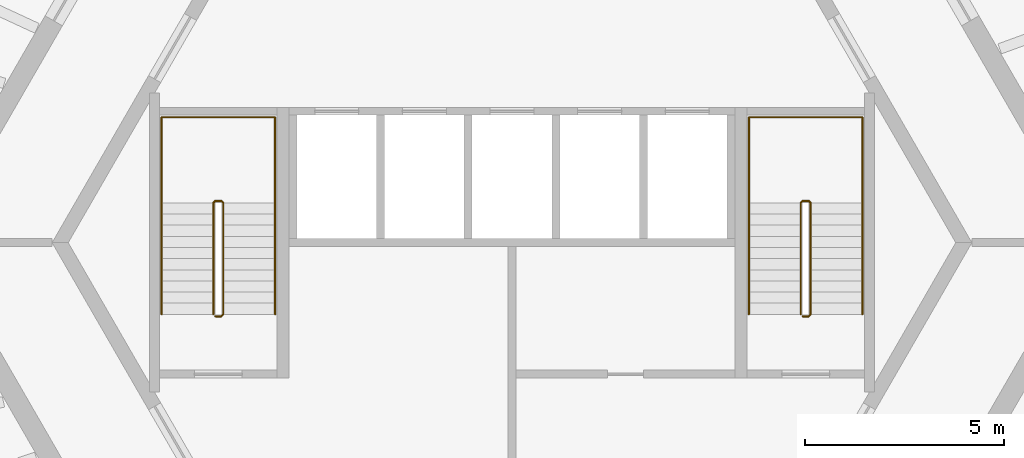
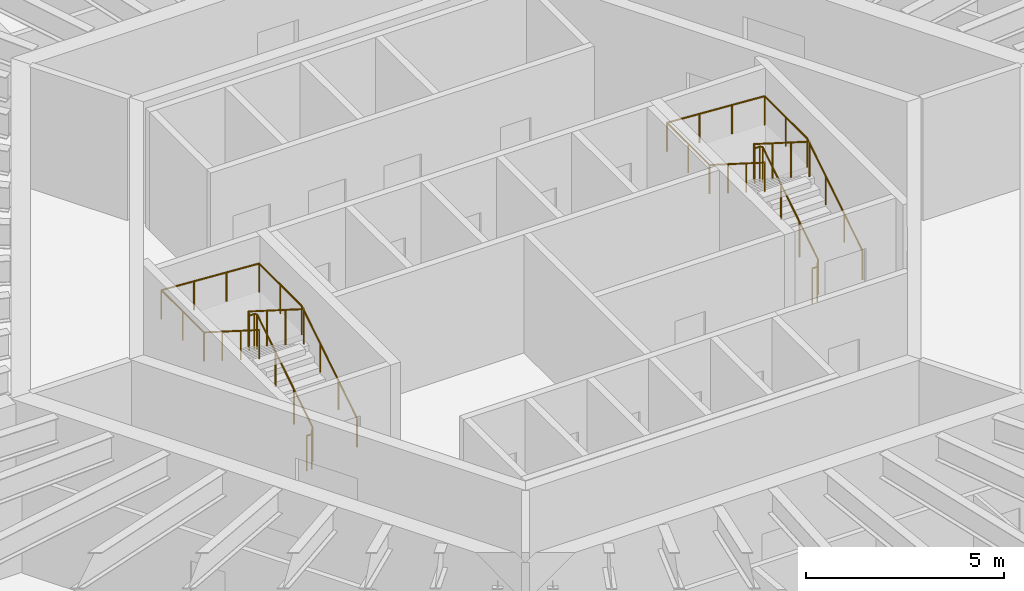
# One storey, part 9 of 9: 4 railings.
"""IFC4 building model written with IfcOpenShell, lengths in metres."""

import ifcopenshell
import ifcopenshell.guid

model = None  # the IFC model being written
_history = None  # IfcOwnerHistory: only IFC2X3 demands one
_inside = {}  # id of a spatial element -> (the spatial element, [elements in it])
_under = {}  # id of a project, library or spatial element -> (it, [spatial elements below it])
_declared = {}  # id of a project -> (the project, [libraries it declares])
_typed = {}  # id of a type object -> (the type object, [elements of that type])
_made_of = {}  # id of a material, layer set ... -> (it, [elements and type objects made of it])


def new_model(schema):
    """Start an empty IFC model of exactly this schema.

    Asked for "IFC4X3", IfcOpenShell would pick the latest addendum, in which some entities
    have other attributes; the version numbers below select the first issue.
    IFC2X3 requires an IfcOwnerHistory on every rooted entity: one is made here for all.
    """
    global model, _history
    if schema == "IFC4X3":
        model = ifcopenshell.file(schema_version=(4, 3, 0, 0))
    else:
        model = ifcopenshell.file(schema=schema)
    _inside.clear()
    _under.clear()
    _declared.clear()
    _typed.clear()
    _made_of.clear()
    _history = None
    if model.schema == "IFC2X3":
        org = make("IfcOrganization", Name="unknown")
        user = make(
            "IfcPersonAndOrganization",
            ThePerson=make("IfcPerson", FamilyName="unknown"),
            TheOrganization=org,
        )
        app = make(
            "IfcApplication",
            ApplicationDeveloper=org,
            Version="unknown",
            ApplicationFullName="unknown",
            ApplicationIdentifier="unknown",
        )
        _history = make(
            "IfcOwnerHistory",
            OwningUser=user,
            OwningApplication=app,
            ChangeAction="ADDED",
            CreationDate=0,
        )
    return model


def make(cls, **values):
    """One entity of the class cls with the attributes given. An attribute that is None is left unset."""
    return model.create_entity(
        cls, **{name: value for name, value in values.items() if value is not None}
    )


def rooted(cls, **values):
    """An entity with a GlobalId (a new one), such as an element, a storey or a relation."""
    return make(cls, GlobalId=ifcopenshell.guid.new(), OwnerHistory=_history, **values)


def si_unit(unit_type, name, prefix=None):
    """IfcSIUnit, for example si_unit("LENGTHUNIT", "METRE", prefix="MILLI")."""
    return make("IfcSIUnit", UnitType=unit_type, Prefix=prefix, Name=name)


def assignment(units):
    """IfcUnitAssignment: the units of a project."""
    return None if units is None else make("IfcUnitAssignment", Units=units)


def point(xyz):
    """IfcCartesianPoint."""
    return None if xyz is None else make("IfcCartesianPoint", Coordinates=xyz)


def direction(xyz):
    """IfcDirection."""
    return None if xyz is None else make("IfcDirection", DirectionRatios=xyz)


def frame(location, z_axis=None, x_axis=None):
    """IfcAxis2Placement3D, a coordinate frame: its origin and axes. An axis left out is left unset."""
    return make(
        "IfcAxis2Placement3D",
        Location=point(location),
        Axis=direction(z_axis),
        RefDirection=direction(x_axis),
    )


def frame_2d(location, x_axis=None):
    """IfcAxis2Placement2D, a coordinate frame in the plane: its origin and x axis."""
    return make(
        "IfcAxis2Placement2D", Location=point(location), RefDirection=direction(x_axis)
    )


def origin():
    """The frame at (0, 0, 0) with its axes left unset."""
    return frame((0.0, 0.0, 0.0))


def origin_2d():
    """The frame at (0, 0) in the plane with its x axis left unset."""
    return frame_2d((0.0, 0.0))


def place(relative_to, where):
    """IfcLocalPlacement: puts the frame where relative to a parent placement (None: the world)."""
    return make(
        "IfcLocalPlacement", PlacementRelTo=relative_to, RelativePlacement=where
    )


def context(
    kind, dimensions, precision=None, world=None, true_north=None, identifier=None
):
    """IfcGeometricRepresentationContext, for example the 3D "Model" context."""
    return make(
        "IfcGeometricRepresentationContext",
        ContextIdentifier=identifier,
        ContextType=kind,
        CoordinateSpaceDimension=dimensions,
        Precision=precision,
        WorldCoordinateSystem=world,
        TrueNorth=true_north,
    )


def subcontext(parent, identifier, kind, view, scale=None):
    """IfcGeometricRepresentationSubContext, for example "Body" below "Model"."""
    return make(
        "IfcGeometricRepresentationSubContext",
        ContextIdentifier=identifier,
        ContextType=kind,
        ParentContext=parent,
        TargetScale=scale,
        TargetView=view,
    )


def project(units=None, contexts=None):
    """IfcProject with its units and contexts."""
    return rooted(
        "IfcProject",
        Name="project",
        RepresentationContexts=contexts,
        UnitsInContext=assignment(units),
    )


def spatial(cls, under=None, at=None, **own):
    """A site, building, storey or space (cls), placed at a placement, below another one or the project."""
    s = rooted(cls, ObjectPlacement=at, **own)
    if under is not None:
        _under.setdefault(under.id(), (under, []))[1].append(s)
    return s


def profile(cls, at=None, kind="AREA", **sizes):
    """A parametric profile (cls). Its sizes go by their IFC names, for example OverallWidth=200.0."""
    return make(cls, ProfileType=kind, Position=at, **sizes)


def circle(**sizes):
    """IfcCircleProfileDef."""
    return profile("IfcCircleProfileDef", **sizes)


def extrude(swept, where, along, depth):
    """IfcExtrudedAreaSolid: the profile swept, set in the frame where, extruded along a direction by depth."""
    return make(
        "IfcExtrudedAreaSolid",
        SweptArea=swept,
        Position=where,
        ExtrudedDirection=direction(along),
        Depth=depth,
    )


def shape(context_of_items, identifier, shape_type, items):
    """IfcShapeRepresentation: the items that make up one representation, for example the "Body"."""
    return make(
        "IfcShapeRepresentation",
        ContextOfItems=context_of_items,
        RepresentationIdentifier=identifier,
        RepresentationType=shape_type,
        Items=items,
    )


def material(Name=None, Category=None):
    """IfcMaterial."""
    return make("IfcMaterial", Name=Name, Category=Category)


def made_of(thing, what):
    """Note that an element or type object is made of a material, layer set ...; save() writes the relation."""
    if what is not None:
        _made_of.setdefault(what.id(), (what, []))[1].append(thing)
    return thing


def type_object(cls, material=None, **own):
    """A type object (cls), such as IfcWallType, which elements share."""
    return made_of(rooted(cls, **own), material)


def element(
    cls,
    number,
    at=None,
    inside=None,
    cuts=None,
    type_object=None,
    material=None,
    context=None,
    identifier="Body",
    shape_type=None,
    held_by="IfcProductDefinitionShape",
    body=None,
    shapes=None,
    **own,
):
    """One element of the class cls, such as IfcWall. Its Tag is "e" and its number.

    at: its placement. inside: the storey or other place that contains it. cuts: it is an
    opening in that element (IfcRelVoidsElement). A single representation is given by context,
    identifier, shape_type and body (its items); several are given by shapes. held_by: the class
    of the entity that holds the representations. save() writes the other relations.
    """
    e = rooted(cls, Tag="e%d" % number, ObjectPlacement=at, **own)
    if body is not None:
        shapes = [shape(context, identifier, shape_type, body)]
    if shapes is not None:
        e.Representation = make(held_by, Representations=shapes)
    if inside is not None:
        _inside.setdefault(inside.id(), (inside, []))[1].append(e)
    if cuts is not None:
        rooted(
            "IfcRelVoidsElement", RelatingBuildingElement=cuts, RelatedOpeningElement=e
        )
    if type_object is not None:
        _typed.setdefault(type_object.id(), (type_object, []))[1].append(e)
    return made_of(e, material)


def aggregate(whole, parts):
    """IfcRelAggregates: a whole, such as a stair, and the parts it consists of."""
    return rooted("IfcRelAggregates", RelatingObject=whole, RelatedObjects=parts)


def save(model, path):
    """Write the relations noted so far, then the file.

    IfcRelAggregates (storeys below a building ...), IfcRelContainedInSpatialStructure (elements
    in a storey), IfcRelDefinesByType, IfcRelAssociatesMaterial and IfcRelDeclares: one each for
    every whole, place, type object, material and project.
    """
    for whole, parts in _under.values():
        aggregate(whole, parts)
    for where, things in _inside.values():
        rooted(
            "IfcRelContainedInSpatialStructure",
            RelatedElements=things,
            RelatingStructure=where,
        )
    for kind, things in _typed.values():
        rooted("IfcRelDefinesByType", RelatedObjects=things, RelatingType=kind)
    for what, things in _made_of.values():
        rooted("IfcRelAssociatesMaterial", RelatedObjects=things, RelatingMaterial=what)
    for by, libraries in _declared.values():
        rooted("IfcRelDeclares", RelatingContext=by, RelatedDefinitions=libraries)
    model.write(path)


model = new_model("IFC4")

# Units and contexts
model_context = context("Model", 3, precision=1e-05, world=origin(), true_north=direction((0.0, 1.0)))
body_context = subcontext(model_context, "Body", "Model", "MODEL_VIEW")
ifc_project = project(units=[si_unit("LENGTHUNIT", "METRE"), si_unit("AREAUNIT", "SQUARE_METRE"), si_unit("VOLUMEUNIT", "CUBIC_METRE"), si_unit("PLANEANGLEUNIT", "RADIAN"), si_unit("MASSUNIT", "GRAM", prefix="KILO")], contexts=[model_context])

# Site, building, storey
site_placement = place(None, origin())
site = spatial("IfcSite", under=ifc_project, at=site_placement, CompositionType="ELEMENT")
building_placement = place(site_placement, origin())
building = spatial("IfcBuilding", under=site, at=building_placement, Name="Tarnside Tower", CompositionType="ELEMENT")
storey_placement = place(building_placement, frame((0.0, 0.0, 222.89990234375)))
storey = spatial("IfcBuildingStorey", under=building, at=storey_placement, Name="L53", CompositionType="ELEMENT", Elevation=222.89990234375)

# Railings
ifc_material = material(Name="Stainless steel", Category="steel")
railing_type_1 = type_object("IfcRailingType", Name="Stair guard 1100", PredefinedType="GUARDRAIL", material=ifc_material)
railing_1_placement = place(storey_placement, frame((7.300048828125, -1.85009765625, 0.0)))
element("IfcRailing", 1, at=railing_1_placement, inside=storey, type_object=railing_type_1, Name="L53 ST1 stair guard 1", PredefinedType="GUARDRAIL", context=body_context, shape_type="SweptSolid", body=[
    extrude(circle(Radius=0.02392578125, at=origin_2d()), frame((0.0, 0.0, 1.076171875), z_axis=(1.0, 0.0, 0.0), x_axis=(0.0, 1.0, 0.0)), (0.0, 0.0, 1.0), 0.14990234375),
    extrude(circle(Radius=0.02392578125, at=origin_2d()), frame((0.14990234375, 0.0, 1.076171875), z_axis=(0.261922500866, 0.261922500866, 0.928866625022), x_axis=(-0.707106781187, 0.707106781187, 0.0)), (0.0, 0.0, 1.0), 0.191162109375),
    extrude(circle(Radius=0.02392578125, at=origin_2d()), frame((0.199951171875, 0.050048828125, 1.25341796875), z_axis=(0.0, 0.844908973607, 0.534910110503), x_axis=(-1.0, 0.0, 0.0)), (0.0, 0.0, 1.0), 3.31396484375),
    extrude(circle(Radius=0.02392578125, at=origin_2d()), frame((0.199951171875, 2.85009765625, 3.0263671875), z_axis=(-0.707106781187, 0.707106781187, 0.0), x_axis=(-0.707106781187, -0.707106781187, 0.0)), (0.0, 0.0, 1.0), 0.07080078125),
    extrude(circle(Radius=0.02392578125, at=origin_2d()), frame((0.14990234375, 2.900146484375, 3.0263671875), z_axis=(-1.0, 0.0, 0.0), x_axis=(0.0, -1.0, 0.0)), (0.0, 0.0, 1.0), 0.14990234375),
    extrude(circle(Radius=0.02392578125, at=origin_2d()), frame((0.0, 2.900146484375, 3.0263671875), z_axis=(-0.262233686654, -0.262233686654, 0.928691007369), x_axis=(0.707106781187, -0.707106781187, 0.0)), (0.0, 0.0, 1.0), 0.19091796875),
    extrude(circle(Radius=0.02392578125, at=origin_2d()), frame((-0.050048828125, 2.85009765625, 3.20361328125), z_axis=(0.0, -0.844908973607, 0.534910110503), x_axis=(1.0, 0.0, 0.0)), (0.0, 0.0, 1.0), 3.31396484375),
    extrude(circle(Radius=0.02099609375, at=origin_2d()), origin(), (0.0, 0.0, 1.0), 1.052001953125),
    extrude(circle(Radius=0.02099609375, at=origin_2d()), frame((0.14990234375, 0.0, 0.0)), (0.0, 0.0, 1.0), 1.052001953125),
    extrude(circle(Radius=0.02099609375, at=origin_2d()), frame((0.199951171875, 0.050048828125, 0.177490234375)), (0.0, 0.0, 1.0), 1.052001953125),
    extrude(circle(Radius=0.02099609375, at=origin_2d()), frame((0.199951171875, 0.9833984375, 0.768310546875)), (0.0, 0.0, 1.0), 1.052001953125),
    extrude(circle(Radius=0.02099609375, at=origin_2d()), frame((0.199951171875, 1.916748046875, 1.359375)), (0.0, 0.0, 1.0), 1.052001953125),
    extrude(circle(Radius=0.02099609375, at=origin_2d()), frame((0.199951171875, 2.85009765625, 1.9501953125)), (0.0, 0.0, 1.0), 1.052001953125),
    extrude(circle(Radius=0.02099609375, at=origin_2d()), frame((0.14990234375, 2.900146484375, 1.9501953125)), (0.0, 0.0, 1.0), 1.052001953125),
    extrude(circle(Radius=0.02099609375, at=origin_2d()), frame((0.0, 2.900146484375, 1.9501953125)), (0.0, 0.0, 1.0), 1.052001953125),
    extrude(circle(Radius=0.02099609375, at=origin_2d()), frame((-0.050048828125, 2.85009765625, 2.12744140625)), (0.0, 0.0, 1.0), 1.052001953125),
    extrude(circle(Radius=0.02099609375, at=origin_2d()), frame((-0.050048828125, 1.916748046875, 2.71826171875)), (0.0, 0.0, 1.0), 1.052001953125),
    extrude(circle(Radius=0.02099609375, at=origin_2d()), frame((-0.050048828125, 0.9833984375, 3.309326171875)), (0.0, 0.0, 1.0), 1.052001953125),
    extrude(circle(Radius=0.02099609375, at=origin_2d()), frame((-0.050048828125, 0.050048828125, 3.900146484375)), (0.0, 0.0, 1.0), 1.052001953125),
])
railing_2_placement = place(storey_placement, frame((-7.449951171875, -1.85009765625, 0.0)))
element("IfcRailing", 2, at=railing_2_placement, inside=storey, type_object=railing_type_1, Name="L53 ST2 stair guard 1", PredefinedType="GUARDRAIL", context=body_context, shape_type="SweptSolid", body=[
    extrude(circle(Radius=0.02392578125, at=origin_2d()), frame((0.0, 0.0, 1.076171875), z_axis=(1.0, 0.0, 0.0), x_axis=(0.0, 1.0, 0.0)), (0.0, 0.0, 1.0), 0.14990234375),
    extrude(circle(Radius=0.02392578125, at=origin_2d()), frame((0.14990234375, 0.0, 1.076171875), z_axis=(0.261922500866, 0.261922500866, 0.928866625022), x_axis=(-0.707106781187, 0.707106781187, 0.0)), (0.0, 0.0, 1.0), 0.191162109375),
    extrude(circle(Radius=0.02392578125, at=origin_2d()), frame((0.199951171875, 0.050048828125, 1.25341796875), z_axis=(0.0, 0.844908973607, 0.534910110503), x_axis=(-1.0, 0.0, 0.0)), (0.0, 0.0, 1.0), 3.31396484375),
    extrude(circle(Radius=0.02392578125, at=origin_2d()), frame((0.199951171875, 2.85009765625, 3.0263671875), z_axis=(-0.707106781187, 0.707106781187, 0.0), x_axis=(-0.707106781187, -0.707106781187, 0.0)), (0.0, 0.0, 1.0), 0.07080078125),
    extrude(circle(Radius=0.02392578125, at=origin_2d()), frame((0.14990234375, 2.900146484375, 3.0263671875), z_axis=(-1.0, 0.0, 0.0), x_axis=(0.0, -1.0, 0.0)), (0.0, 0.0, 1.0), 0.14990234375),
    extrude(circle(Radius=0.02392578125, at=origin_2d()), frame((0.0, 2.900146484375, 3.0263671875), z_axis=(-0.262233686654, -0.262233686654, 0.928691007369), x_axis=(0.707106781187, -0.707106781187, 0.0)), (0.0, 0.0, 1.0), 0.19091796875),
    extrude(circle(Radius=0.02392578125, at=origin_2d()), frame((-0.050048828125, 2.85009765625, 3.20361328125), z_axis=(0.0, -0.844908973607, 0.534910110503), x_axis=(1.0, 0.0, 0.0)), (0.0, 0.0, 1.0), 3.31396484375),
    extrude(circle(Radius=0.02099609375, at=origin_2d()), origin(), (0.0, 0.0, 1.0), 1.052001953125),
    extrude(circle(Radius=0.02099609375, at=origin_2d()), frame((0.14990234375, 0.0, 0.0)), (0.0, 0.0, 1.0), 1.052001953125),
    extrude(circle(Radius=0.02099609375, at=origin_2d()), frame((0.199951171875, 0.050048828125, 0.177490234375)), (0.0, 0.0, 1.0), 1.052001953125),
    extrude(circle(Radius=0.02099609375, at=origin_2d()), frame((0.199951171875, 0.9833984375, 0.768310546875)), (0.0, 0.0, 1.0), 1.052001953125),
    extrude(circle(Radius=0.02099609375, at=origin_2d()), frame((0.199951171875, 1.916748046875, 1.359375)), (0.0, 0.0, 1.0), 1.052001953125),
    extrude(circle(Radius=0.02099609375, at=origin_2d()), frame((0.199951171875, 2.85009765625, 1.9501953125)), (0.0, 0.0, 1.0), 1.052001953125),
    extrude(circle(Radius=0.02099609375, at=origin_2d()), frame((0.14990234375, 2.900146484375, 1.9501953125)), (0.0, 0.0, 1.0), 1.052001953125),
    extrude(circle(Radius=0.02099609375, at=origin_2d()), frame((0.0, 2.900146484375, 1.9501953125)), (0.0, 0.0, 1.0), 1.052001953125),
    extrude(circle(Radius=0.02099609375, at=origin_2d()), frame((-0.050048828125, 2.85009765625, 2.12744140625)), (0.0, 0.0, 1.0), 1.052001953125),
    extrude(circle(Radius=0.02099609375, at=origin_2d()), frame((-0.050048828125, 1.916748046875, 2.71826171875)), (0.0, 0.0, 1.0), 1.052001953125),
    extrude(circle(Radius=0.02099609375, at=origin_2d()), frame((-0.050048828125, 0.9833984375, 3.309326171875)), (0.0, 0.0, 1.0), 1.052001953125),
    extrude(circle(Radius=0.02099609375, at=origin_2d()), frame((-0.050048828125, 0.050048828125, 3.900146484375)), (0.0, 0.0, 1.0), 1.052001953125),
])
railing_type_2 = type_object("IfcRailingType", Name="Stair handrail 900", PredefinedType="HANDRAIL", material=ifc_material)
railing_3_placement = place(storey_placement, frame((8.800048828125, -1.800048828125, 0.177490234375)))
element("IfcRailing", 3, at=railing_3_placement, inside=storey, type_object=railing_type_2, Name="L53 ST1 stair handrail 1", PredefinedType="HANDRAIL", context=body_context, shape_type="SweptSolid", body=[
    extrude(circle(Radius=0.02392578125, at=origin_2d()), frame((0.0, 0.0, 0.8857421875), z_axis=(0.0, 0.844908973607, 0.534910110503), x_axis=(-1.0, 0.0, 0.0)), (0.0, 0.0, 1.0), 3.31396484375),
    extrude(circle(Radius=0.02392578125, at=origin_2d()), frame((0.0, 2.800048828125, 2.65869140625), z_axis=(0.0, 1.0, 0.0), x_axis=(-1.0, 0.0, 0.0)), (0.0, 0.0, 1.0), 2.14990234375),
    extrude(circle(Radius=0.02392578125, at=origin_2d()), frame((0.0, 4.949951171875, 2.65869140625), z_axis=(-0.998071825391, 0.0, 0.06206956872), x_axis=(0.0, -1.0, 0.0)), (0.0, 0.0, 1.0), 2.855712890625),
    extrude(circle(Radius=0.02392578125, at=origin_2d()), frame((-2.85009765625, 4.949951171875, 2.8359375), z_axis=(0.0, -1.0, 0.0), x_axis=(1.0, 0.0, 0.0)), (0.0, 0.0, 1.0), 2.14990234375),
    extrude(circle(Radius=0.02392578125, at=origin_2d()), frame((-2.85009765625, 2.800048828125, 2.8359375), z_axis=(0.0, -0.844908973607, 0.534910110503), x_axis=(1.0, 0.0, 0.0)), (0.0, 0.0, 1.0), 3.31396484375),
    extrude(circle(Radius=0.02099609375, at=origin_2d()), origin(), (0.0, 0.0, 1.0), 0.86181640625),
    extrude(circle(Radius=0.02099609375, at=origin_2d()), frame((0.0, 0.933349609375, 0.5908203125)), (0.0, 0.0, 1.0), 0.86181640625),
    extrude(circle(Radius=0.02099609375, at=origin_2d()), frame((0.0, 1.86669921875, 1.181884765625)), (0.0, 0.0, 1.0), 0.86181640625),
    extrude(circle(Radius=0.02099609375, at=origin_2d()), frame((0.0, 2.800048828125, 1.772705078125)), (0.0, 0.0, 1.0), 0.86181640625),
    extrude(circle(Radius=0.02099609375, at=origin_2d()), frame((0.0, 3.875, 1.772705078125)), (0.0, 0.0, 1.0), 0.86181640625),
    extrude(circle(Radius=0.02099609375, at=origin_2d()), frame((0.0, 4.949951171875, 1.772705078125)), (0.0, 0.0, 1.0), 0.86181640625),
    extrude(circle(Radius=0.02099609375, at=origin_2d()), frame((-0.949951171875, 4.949951171875, 1.831787109375)), (0.0, 0.0, 1.0), 0.86181640625),
    extrude(circle(Radius=0.02099609375, at=origin_2d()), frame((-1.900146484375, 4.949951171875, 1.890869140625)), (0.0, 0.0, 1.0), 0.86181640625),
    extrude(circle(Radius=0.02099609375, at=origin_2d()), frame((-2.85009765625, 4.949951171875, 1.949951171875)), (0.0, 0.0, 1.0), 0.86181640625),
    extrude(circle(Radius=0.02099609375, at=origin_2d()), frame((-2.85009765625, 3.875, 1.949951171875)), (0.0, 0.0, 1.0), 0.86181640625),
    extrude(circle(Radius=0.02099609375, at=origin_2d()), frame((-2.85009765625, 2.800048828125, 1.949951171875)), (0.0, 0.0, 1.0), 0.86181640625),
    extrude(circle(Radius=0.02099609375, at=origin_2d()), frame((-2.85009765625, 1.86669921875, 2.540771484375)), (0.0, 0.0, 1.0), 0.86181640625),
    extrude(circle(Radius=0.02099609375, at=origin_2d()), frame((-2.85009765625, 0.933349609375, 3.1318359375)), (0.0, 0.0, 1.0), 0.86181640625),
    extrude(circle(Radius=0.02099609375, at=origin_2d()), frame((-2.85009765625, 0.0, 3.72265625)), (0.0, 0.0, 1.0), 0.86181640625),
])
railing_4_placement = place(storey_placement, frame((-5.949951171875, -1.800048828125, 0.177490234375)))
element("IfcRailing", 4, at=railing_4_placement, inside=storey, type_object=railing_type_2, Name="L53 ST2 stair handrail 1", PredefinedType="HANDRAIL", context=body_context, shape_type="SweptSolid", body=[
    extrude(circle(Radius=0.02392578125, at=origin_2d()), frame((0.0, 0.0, 0.8857421875), z_axis=(0.0, 0.844908973607, 0.534910110503), x_axis=(-1.0, 0.0, 0.0)), (0.0, 0.0, 1.0), 3.31396484375),
    extrude(circle(Radius=0.02392578125, at=origin_2d()), frame((0.0, 2.800048828125, 2.65869140625), z_axis=(0.0, 1.0, 0.0), x_axis=(-1.0, 0.0, 0.0)), (0.0, 0.0, 1.0), 2.14990234375),
    extrude(circle(Radius=0.02392578125, at=origin_2d()), frame((0.0, 4.949951171875, 2.65869140625), z_axis=(-0.998071825391, 0.0, 0.06206956872), x_axis=(0.0, -1.0, 0.0)), (0.0, 0.0, 1.0), 2.855712890625),
    extrude(circle(Radius=0.02392578125, at=origin_2d()), frame((-2.85009765625, 4.949951171875, 2.8359375), z_axis=(0.0, -1.0, 0.0), x_axis=(1.0, 0.0, 0.0)), (0.0, 0.0, 1.0), 2.14990234375),
    extrude(circle(Radius=0.02392578125, at=origin_2d()), frame((-2.85009765625, 2.800048828125, 2.8359375), z_axis=(0.0, -0.844908973607, 0.534910110503), x_axis=(1.0, 0.0, 0.0)), (0.0, 0.0, 1.0), 3.31396484375),
    extrude(circle(Radius=0.02099609375, at=origin_2d()), origin(), (0.0, 0.0, 1.0), 0.86181640625),
    extrude(circle(Radius=0.02099609375, at=origin_2d()), frame((0.0, 0.933349609375, 0.5908203125)), (0.0, 0.0, 1.0), 0.86181640625),
    extrude(circle(Radius=0.02099609375, at=origin_2d()), frame((0.0, 1.86669921875, 1.181884765625)), (0.0, 0.0, 1.0), 0.86181640625),
    extrude(circle(Radius=0.02099609375, at=origin_2d()), frame((0.0, 2.800048828125, 1.772705078125)), (0.0, 0.0, 1.0), 0.86181640625),
    extrude(circle(Radius=0.02099609375, at=origin_2d()), frame((0.0, 3.875, 1.772705078125)), (0.0, 0.0, 1.0), 0.86181640625),
    extrude(circle(Radius=0.02099609375, at=origin_2d()), frame((0.0, 4.949951171875, 1.772705078125)), (0.0, 0.0, 1.0), 0.86181640625),
    extrude(circle(Radius=0.02099609375, at=origin_2d()), frame((-0.949951171875, 4.949951171875, 1.831787109375)), (0.0, 0.0, 1.0), 0.86181640625),
    extrude(circle(Radius=0.02099609375, at=origin_2d()), frame((-1.900146484375, 4.949951171875, 1.890869140625)), (0.0, 0.0, 1.0), 0.86181640625),
    extrude(circle(Radius=0.02099609375, at=origin_2d()), frame((-2.85009765625, 4.949951171875, 1.949951171875)), (0.0, 0.0, 1.0), 0.86181640625),
    extrude(circle(Radius=0.02099609375, at=origin_2d()), frame((-2.85009765625, 3.875, 1.949951171875)), (0.0, 0.0, 1.0), 0.86181640625),
    extrude(circle(Radius=0.02099609375, at=origin_2d()), frame((-2.85009765625, 2.800048828125, 1.949951171875)), (0.0, 0.0, 1.0), 0.86181640625),
    extrude(circle(Radius=0.02099609375, at=origin_2d()), frame((-2.85009765625, 1.86669921875, 2.540771484375)), (0.0, 0.0, 1.0), 0.86181640625),
    extrude(circle(Radius=0.02099609375, at=origin_2d()), frame((-2.85009765625, 0.933349609375, 3.1318359375)), (0.0, 0.0, 1.0), 0.86181640625),
    extrude(circle(Radius=0.02099609375, at=origin_2d()), frame((-2.85009765625, 0.0, 3.72265625)), (0.0, 0.0, 1.0), 0.86181640625),
])

save(model, "model.ifc")
